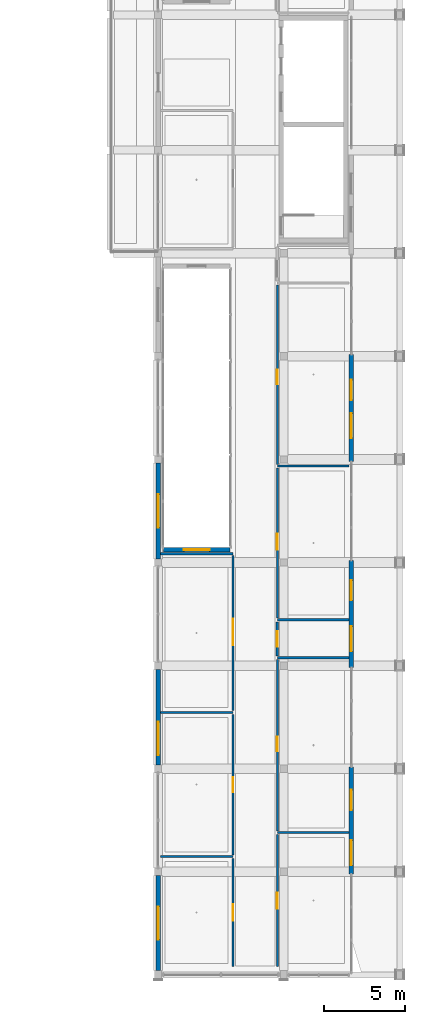
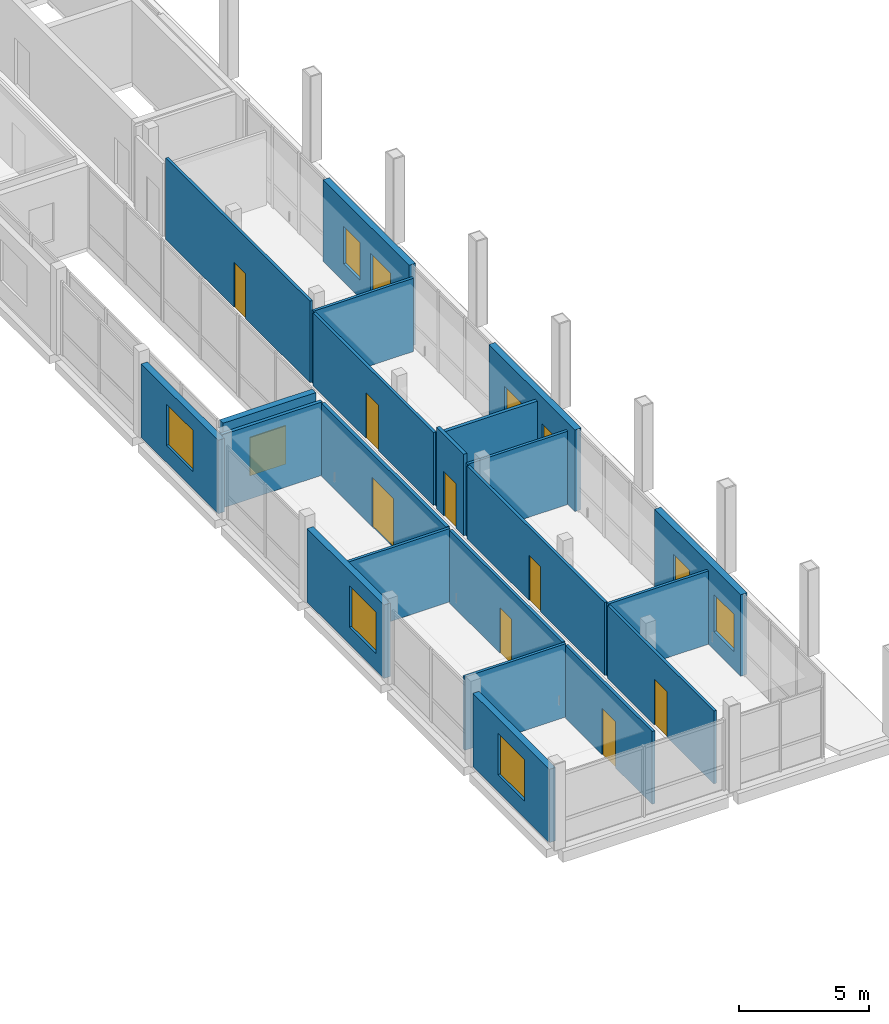
# One storey, part 26 of 48: 22 walls, 10 windows, 8 doors, 18 openings.
"""IFC4 building model written with IfcOpenShell, lengths in metres."""

import ifcopenshell
import ifcopenshell.guid

model = None  # the IFC model being written
_history = None  # IfcOwnerHistory: only IFC2X3 demands one
_inside = {}  # id of a spatial element -> (the spatial element, [elements in it])
_under = {}  # id of a project, library or spatial element -> (it, [spatial elements below it])
_declared = {}  # id of a project -> (the project, [libraries it declares])
_typed = {}  # id of a type object -> (the type object, [elements of that type])
_made_of = {}  # id of a material, layer set ... -> (it, [elements and type objects made of it])


def new_model(schema):
    """Start an empty IFC model of exactly this schema.

    Asked for "IFC4X3", IfcOpenShell would pick the latest addendum, in which some entities
    have other attributes; the version numbers below select the first issue.
    IFC2X3 requires an IfcOwnerHistory on every rooted entity: one is made here for all.
    """
    global model, _history
    if schema == "IFC4X3":
        model = ifcopenshell.file(schema_version=(4, 3, 0, 0))
    else:
        model = ifcopenshell.file(schema=schema)
    _inside.clear()
    _under.clear()
    _declared.clear()
    _typed.clear()
    _made_of.clear()
    _history = None
    if model.schema == "IFC2X3":
        org = make("IfcOrganization", Name="unknown")
        user = make(
            "IfcPersonAndOrganization",
            ThePerson=make("IfcPerson", FamilyName="unknown"),
            TheOrganization=org,
        )
        app = make(
            "IfcApplication",
            ApplicationDeveloper=org,
            Version="unknown",
            ApplicationFullName="unknown",
            ApplicationIdentifier="unknown",
        )
        _history = make(
            "IfcOwnerHistory",
            OwningUser=user,
            OwningApplication=app,
            ChangeAction="ADDED",
            CreationDate=0,
        )
    return model


def make(cls, **values):
    """One entity of the class cls with the attributes given. An attribute that is None is left unset."""
    return model.create_entity(
        cls, **{name: value for name, value in values.items() if value is not None}
    )


def rooted(cls, **values):
    """An entity with a GlobalId (a new one), such as an element, a storey or a relation."""
    return make(cls, GlobalId=ifcopenshell.guid.new(), OwnerHistory=_history, **values)


def si_unit(unit_type, name, prefix=None):
    """IfcSIUnit, for example si_unit("LENGTHUNIT", "METRE", prefix="MILLI")."""
    return make("IfcSIUnit", UnitType=unit_type, Prefix=prefix, Name=name)


def derived_unit(unit_type, elements):
    """IfcDerivedUnit: a product of units, each with its exponent."""
    return make(
        "IfcDerivedUnit",
        Elements=[
            make("IfcDerivedUnitElement", Unit=unit, Exponent=power)
            for unit, power in elements
        ],
        UnitType=unit_type,
    )


def assignment(units):
    """IfcUnitAssignment: the units of a project."""
    return None if units is None else make("IfcUnitAssignment", Units=units)


def point(xyz):
    """IfcCartesianPoint."""
    return None if xyz is None else make("IfcCartesianPoint", Coordinates=xyz)


def direction(xyz):
    """IfcDirection."""
    return None if xyz is None else make("IfcDirection", DirectionRatios=xyz)


def frame(location, z_axis=None, x_axis=None):
    """IfcAxis2Placement3D, a coordinate frame: its origin and axes. An axis left out is left unset."""
    return make(
        "IfcAxis2Placement3D",
        Location=point(location),
        Axis=direction(z_axis),
        RefDirection=direction(x_axis),
    )


def frame_2d(location, x_axis=None):
    """IfcAxis2Placement2D, a coordinate frame in the plane: its origin and x axis."""
    return make(
        "IfcAxis2Placement2D", Location=point(location), RefDirection=direction(x_axis)
    )


def origin():
    """The frame at (0, 0, 0) with its axes left unset."""
    return frame((0.0, 0.0, 0.0))


def origin_with_axes():
    """The frame at (0, 0, 0) with the z axis (0, 0, 1) and the x axis (1, 0, 0) written out."""
    return frame((0.0, 0.0, 0.0), z_axis=(0.0, 0.0, 1.0), x_axis=(1.0, 0.0, 0.0))


def place(relative_to, where):
    """IfcLocalPlacement: puts the frame where relative to a parent placement (None: the world)."""
    return make(
        "IfcLocalPlacement", PlacementRelTo=relative_to, RelativePlacement=where
    )


def context(
    kind, dimensions, precision=None, world=None, true_north=None, identifier=None
):
    """IfcGeometricRepresentationContext, for example the 3D "Model" context."""
    return make(
        "IfcGeometricRepresentationContext",
        ContextIdentifier=identifier,
        ContextType=kind,
        CoordinateSpaceDimension=dimensions,
        Precision=precision,
        WorldCoordinateSystem=world,
        TrueNorth=true_north,
    )


def subcontext(parent, identifier, kind, view, scale=None):
    """IfcGeometricRepresentationSubContext, for example "Body" below "Model"."""
    return make(
        "IfcGeometricRepresentationSubContext",
        ContextIdentifier=identifier,
        ContextType=kind,
        ParentContext=parent,
        TargetScale=scale,
        TargetView=view,
    )


def project(units=None, contexts=None):
    """IfcProject with its units and contexts."""
    return rooted(
        "IfcProject",
        Name="project",
        RepresentationContexts=contexts,
        UnitsInContext=assignment(units),
    )


def spatial(cls, under=None, at=None, **own):
    """A site, building, storey or space (cls), placed at a placement, below another one or the project."""
    s = rooted(cls, ObjectPlacement=at, **own)
    if under is not None:
        _under.setdefault(under.id(), (under, []))[1].append(s)
    return s


def profile(cls, at=None, kind="AREA", **sizes):
    """A parametric profile (cls). Its sizes go by their IFC names, for example OverallWidth=200.0."""
    return make(cls, ProfileType=kind, Position=at, **sizes)


def rectangle(**sizes):
    """IfcRectangleProfileDef."""
    return profile("IfcRectangleProfileDef", **sizes)


def extrude(swept, where, along, depth):
    """IfcExtrudedAreaSolid: the profile swept, set in the frame where, extruded along a direction by depth."""
    return make(
        "IfcExtrudedAreaSolid",
        SweptArea=swept,
        Position=where,
        ExtrudedDirection=direction(along),
        Depth=depth,
    )


def shape(context_of_items, identifier, shape_type, items):
    """IfcShapeRepresentation: the items that make up one representation, for example the "Body"."""
    return make(
        "IfcShapeRepresentation",
        ContextOfItems=context_of_items,
        RepresentationIdentifier=identifier,
        RepresentationType=shape_type,
        Items=items,
    )


def material(Name=None, Category=None):
    """IfcMaterial."""
    return make("IfcMaterial", Name=Name, Category=Category)


def layer(
    of_material, thickness, ventilated=None, Name=None, Category=None, Priority=None
):
    """IfcMaterialLayer: one layer of a wall or slab, of a material (None: an air gap)."""
    return make(
        "IfcMaterialLayer",
        Material=of_material,
        LayerThickness=thickness,
        IsVentilated=ventilated,
        Name=Name,
        Category=Category,
        Priority=Priority,
    )


def layer_set(layers, Name=None):
    """IfcMaterialLayerSet."""
    return make("IfcMaterialLayerSet", MaterialLayers=layers, LayerSetName=Name)


def made_of(thing, what):
    """Note that an element or type object is made of a material, layer set ...; save() writes the relation."""
    if what is not None:
        _made_of.setdefault(what.id(), (what, []))[1].append(thing)
    return thing


def type_object(cls, material=None, **own):
    """A type object (cls), such as IfcWallType, which elements share."""
    return made_of(rooted(cls, **own), material)


def element(
    cls,
    number,
    at=None,
    inside=None,
    cuts=None,
    type_object=None,
    material=None,
    context=None,
    identifier="Body",
    shape_type=None,
    held_by="IfcProductDefinitionShape",
    body=None,
    shapes=None,
    **own,
):
    """One element of the class cls, such as IfcWall. Its Tag is "e" and its number.

    at: its placement. inside: the storey or other place that contains it. cuts: it is an
    opening in that element (IfcRelVoidsElement). A single representation is given by context,
    identifier, shape_type and body (its items); several are given by shapes. held_by: the class
    of the entity that holds the representations. save() writes the other relations.
    """
    e = rooted(cls, Tag="e%d" % number, ObjectPlacement=at, **own)
    if body is not None:
        shapes = [shape(context, identifier, shape_type, body)]
    if shapes is not None:
        e.Representation = make(held_by, Representations=shapes)
    if inside is not None:
        _inside.setdefault(inside.id(), (inside, []))[1].append(e)
    if cuts is not None:
        rooted(
            "IfcRelVoidsElement", RelatingBuildingElement=cuts, RelatedOpeningElement=e
        )
    if type_object is not None:
        _typed.setdefault(type_object.id(), (type_object, []))[1].append(e)
    return made_of(e, material)


def fill(opening, filler):
    """IfcRelFillsElement: the door or window that sits in an opening."""
    return rooted(
        "IfcRelFillsElement",
        RelatingOpeningElement=opening,
        RelatedBuildingElement=filler,
    )


def aggregate(whole, parts):
    """IfcRelAggregates: a whole, such as a stair, and the parts it consists of."""
    return rooted("IfcRelAggregates", RelatingObject=whole, RelatedObjects=parts)


def save(model, path):
    """Write the relations noted so far, then the file.

    IfcRelAggregates (storeys below a building ...), IfcRelContainedInSpatialStructure (elements
    in a storey), IfcRelDefinesByType, IfcRelAssociatesMaterial and IfcRelDeclares: one each for
    every whole, place, type object, material and project.
    """
    for whole, parts in _under.values():
        aggregate(whole, parts)
    for where, things in _inside.values():
        rooted(
            "IfcRelContainedInSpatialStructure",
            RelatedElements=things,
            RelatingStructure=where,
        )
    for kind, things in _typed.values():
        rooted("IfcRelDefinesByType", RelatedObjects=things, RelatingType=kind)
    for what, things in _made_of.values():
        rooted("IfcRelAssociatesMaterial", RelatedObjects=things, RelatingMaterial=what)
    for by, libraries in _declared.values():
        rooted("IfcRelDeclares", RelatingContext=by, RelatedDefinitions=libraries)
    model.write(path)


model = new_model("IFC4")

# Units and contexts
model_context = context("Model", 3, precision=1e-05, world=origin(), true_north=direction((0.0, 1.0)))
body_context = subcontext(model_context, "Body", "Model", "MODEL_VIEW")
ifc_project = project(units=[si_unit("LENGTHUNIT", "METRE"), si_unit("AREAUNIT", "SQUARE_METRE"), si_unit("VOLUMEUNIT", "CUBIC_METRE"), si_unit("PLANEANGLEUNIT", "RADIAN"), si_unit("MASSUNIT", "GRAM", prefix="KILO"), derived_unit("THERMALTRANSMITTANCEUNIT", [(si_unit("POWERUNIT", "WATT"), 1), (si_unit("LENGTHUNIT", "METRE"), -2), (si_unit("THERMODYNAMICTEMPERATUREUNIT", "KELVIN"), -1)])], contexts=[model_context])

# Site, building, storey
site_placement = place(None, origin())
site = spatial("IfcSite", under=ifc_project, at=site_placement, CompositionType="ELEMENT")
building_placement = place(site_placement, origin())
building = spatial("IfcBuilding", under=site, at=building_placement, Name="Braskholm Square Health Centre", CompositionType="ELEMENT")
storey_placement = place(building_placement, frame((0.0, 0.0, 17.550048828125)))
storey = spatial("IfcBuildingStorey", under=building, at=storey_placement, Name="L05", CompositionType="ELEMENT", Elevation=17.550048828125)

# Wall, opening, door
ifc_material_1 = material(Name="Acoustic gypsum board partition")
ifc_layer_1 = layer(ifc_material_1, 0.125)
ifc_layer_set_1 = layer_set([ifc_layer_1], Name="Acoustic gypsum board partition")
wall_type_1 = type_object("IfcWallType", Name="ClinicalExamPartition125", PredefinedType="PARTITIONING", material=ifc_layer_set_1)
wall_1_placement = place(storey_placement, frame((156.199951171875, 4.719970703125, 0.0), z_axis=(0.0, 0.0, 1.0), x_axis=(0.0, 1.0, 0.0)))
wall_1 = element("IfcWall", 1, at=wall_1_placement, inside=storey, type_object=wall_type_1, Name="Interior partition PWALL-L05-0476", PredefinedType="PARTITIONING", context=body_context, shape_type="SweptSolid", body=[
    extrude(rectangle(XDim=8.18994140625, YDim=0.125, at=frame_2d((4.094970703125, 0.0))), origin(), (0.0, 0.0, 1.0), 3.43505859375),
])
opening_1_placement = place(wall_1_placement, frame((3.594970703125, 0.0, 0.0)))
opening_1 = element("IfcOpeningElement", 2, at=opening_1_placement, cuts=wall_1, Name="Opening D-02", PredefinedType="OPENING", context=body_context, shape_type="SweptSolid", body=[
    extrude(rectangle(XDim=1.0, YDim=2.14990234375, at=frame_2d((0.5, 1.074951171875))), frame((0.0, 0.072509765625, 0.0), z_axis=(0.0, -1.0, 0.0), x_axis=(1.0, 0.0, 0.0)), (0.0, 0.0, 1.0), 0.14501953125),
])
ifc_material_2 = material(Name="Architectural bronze anodised aluminium", Category="aluminium")
door_type_1 = type_object("IfcDoorType", Name="DoorExamSingle1000x2150", OperationType="NOTDEFINED", PredefinedType="DOOR", material=ifc_material_2)
door_1_placement = place(opening_1_placement, frame((1.0, 0.0, 0.0), z_axis=(0.0, 0.0, 1.0), x_axis=(-1.0, 0.0, 0.0)))
door_1 = element("IfcDoor", 3, at=door_1_placement, inside=storey, type_object=door_type_1, Name="Interior door 0225 L05", OperationType="SINGLE_SWING_LEFT", OverallHeight=2.14990234375, OverallWidth=1.0, PredefinedType="DOOR", context=body_context, shape_type="SweptSolid", body=[
    extrude(rectangle(XDim=1.0, YDim=2.14990234375, at=frame_2d((0.5, 1.074951171875))), frame((0.0, 0.02490234375, 0.0), z_axis=(0.0, -1.0, 0.0), x_axis=(1.0, 0.0, 0.0)), (0.0, 0.0, 1.0), 0.050048828125),
])
fill(opening_1, door_1)

# Wall
wall_2_placement = place(storey_placement, frame((156.199951171875, 13.030029296875, 0.0), z_axis=(0.0, 0.0, 1.0), x_axis=(1.0, 0.0, 0.0)))
element("IfcWall", 4, at=wall_2_placement, inside=storey, type_object=wall_type_1, Name="Interior partition PWALL-L05-0477", PredefinedType="PARTITIONING", context=body_context, shape_type="SweptSolid", body=[
    extrude(rectangle(XDim=4.4599609375, YDim=0.125, at=frame_2d((2.22998046875, 0.0))), origin(), (0.0, 0.0, 1.0), 3.454833984375),
])

# Wall, opening, door
wall_3_placement = place(storey_placement, frame((156.199951171875, 13.14990234375, 0.0), z_axis=(0.0, 0.0, 1.0), x_axis=(0.0, 1.0, 0.0)))
wall_3 = element("IfcWall", 5, at=wall_3_placement, inside=storey, type_object=wall_type_1, Name="Interior partition PWALL-L05-0478", PredefinedType="PARTITIONING", context=body_context, shape_type="SweptSolid", body=[
    extrude(rectangle(XDim=10.6201171875, YDim=0.125, at=frame_2d((5.31005859375, 0.0))), origin(), (0.0, 0.0, 1.0), 3.43505859375),
])
opening_2_placement = place(wall_3_placement, frame((4.93505859375, 0.0, 0.0)))
opening_2 = element("IfcOpeningElement", 6, at=opening_2_placement, cuts=wall_3, Name="Opening D-07", PredefinedType="OPENING", context=body_context, shape_type="SweptSolid", body=[
    extrude(rectangle(XDim=0.89990234375, YDim=2.1201171875, at=frame_2d((0.449951171875, 1.06005859375))), frame((0.0, 0.072509765625, 0.0), z_axis=(0.0, -1.0, 0.0), x_axis=(1.0, 0.0, 0.0)), (0.0, 0.0, 1.0), 0.14501953125),
])
door_type_2 = type_object("IfcDoorType", Name="DoorProviderOffice900x2120", OperationType="NOTDEFINED", PredefinedType="DOOR", material=ifc_material_2)
door_2_placement = place(opening_2_placement, frame((0.89990234375, 0.0, 0.0), z_axis=(0.0, 0.0, 1.0), x_axis=(-1.0, 0.0, 0.0)))
door_2 = element("IfcDoor", 7, at=door_2_placement, inside=storey, type_object=door_type_2, Name="Interior door 0226 L05", OperationType="SINGLE_SWING_RIGHT", OverallHeight=2.1201171875, OverallWidth=0.89990234375, PredefinedType="DOOR", context=body_context, shape_type="SweptSolid", body=[
    extrude(rectangle(XDim=0.89990234375, YDim=2.1201171875, at=frame_2d((0.449951171875, 1.06005859375))), frame((0.0, 0.02490234375, 0.0), z_axis=(0.0, -1.0, 0.0), x_axis=(1.0, 0.0, 0.0)), (0.0, 0.0, 1.0), 0.050048828125),
])
fill(opening_2, door_2)

# Wall
wall_4_placement = place(storey_placement, frame((156.199951171875, 23.889892578125, 0.0), z_axis=(0.0, 0.0, 1.0), x_axis=(1.0, 0.0, 0.0)))
element("IfcWall", 8, at=wall_4_placement, inside=storey, type_object=wall_type_1, Name="Interior partition PWALL-L05-0479", PredefinedType="PARTITIONING", context=body_context, shape_type="SweptSolid", body=[
    extrude(rectangle(XDim=4.4599609375, YDim=0.125, at=frame_2d((2.22998046875, 0.0))), origin(), (0.0, 0.0, 1.0), 3.454833984375),
])

# Wall, opening, door
wall_5_placement = place(storey_placement, frame((156.199951171875, 26.360107421875, 0.0), z_axis=(0.0, 0.0, 1.0), x_axis=(0.0, 1.0, 0.0)))
wall_5 = element("IfcWall", 9, at=wall_5_placement, inside=storey, type_object=wall_type_1, Name="Interior partition PWALL-L05-0482", PredefinedType="PARTITIONING", context=body_context, shape_type="SweptSolid", body=[
    extrude(rectangle(XDim=9.2998046875, YDim=0.125, at=frame_2d((4.64990234375, 0.0))), origin(), (0.0, 0.0, 1.0), 3.43505859375),
])
opening_3_placement = place(wall_5_placement, frame((4.22607421875, 0.0, 0.0)))
opening_3 = element("IfcOpeningElement", 10, at=opening_3_placement, cuts=wall_5, Name="Opening D-02", PredefinedType="OPENING", context=body_context, shape_type="SweptSolid", body=[
    extrude(rectangle(XDim=1.0, YDim=2.14990234375, at=frame_2d((0.5, 1.074951171875))), frame((0.0, 0.072509765625, 0.0), z_axis=(0.0, -1.0, 0.0), x_axis=(1.0, 0.0, 0.0)), (0.0, 0.0, 1.0), 0.14501953125),
])
door_3_placement = place(opening_3_placement, frame((1.0, 0.0, 0.0), z_axis=(0.0, 0.0, 1.0), x_axis=(-1.0, 0.0, 0.0)))
door_3 = element("IfcDoor", 11, at=door_3_placement, inside=storey, type_object=door_type_1, Name="Interior door 0228 L05", OperationType="SINGLE_SWING_RIGHT", OverallHeight=2.14990234375, OverallWidth=1.0, PredefinedType="DOOR", context=body_context, shape_type="SweptSolid", body=[
    extrude(rectangle(XDim=1.0, YDim=2.14990234375, at=frame_2d((0.5, 1.074951171875))), frame((0.0, 0.02490234375, 0.0), z_axis=(0.0, -1.0, 0.0), x_axis=(1.0, 0.0, 0.0)), (0.0, 0.0, 1.0), 0.050048828125),
])
fill(opening_3, door_3)

# Wall
wall_6_placement = place(storey_placement, frame((156.199951171875, 35.780029296875, 0.0), z_axis=(0.0, 0.0, 1.0), x_axis=(1.0, 0.0, 0.0)))
element("IfcWall", 12, at=wall_6_placement, inside=storey, type_object=wall_type_1, Name="Interior partition PWALL-L05-0483", PredefinedType="PARTITIONING", context=body_context, shape_type="SweptSolid", body=[
    extrude(rectangle(XDim=4.4599609375, YDim=0.125, at=frame_2d((2.22998046875, 0.0))), origin(), (0.0, 0.0, 1.0), 3.454833984375),
])

# Wall, opening, door
wall_7_placement = place(storey_placement, frame((156.199951171875, 35.89990234375, 0.0), z_axis=(0.0, 0.0, 1.0), x_axis=(0.0, 1.0, 0.0)))
wall_7 = element("IfcWall", 13, at=wall_7_placement, inside=storey, type_object=wall_type_1, Name="Interior partition PWALL-L05-0484", PredefinedType="PARTITIONING", context=body_context, shape_type="SweptSolid", body=[
    extrude(rectangle(XDim=11.130126953125, YDim=0.125, at=frame_2d((5.56494140625, 0.0))), origin(), (0.0, 0.0, 1.0), 3.8349609375),
])
opening_4_placement = place(wall_7_placement, frame((4.962890625, 0.0, 0.0)))
opening_4 = element("IfcOpeningElement", 14, at=opening_4_placement, cuts=wall_7, Name="Opening D-07", PredefinedType="OPENING", context=body_context, shape_type="SweptSolid", body=[
    extrude(rectangle(XDim=0.89990234375, YDim=2.1201171875, at=frame_2d((0.449951171875, 1.06005859375))), frame((0.0, 0.072509765625, 0.0), z_axis=(0.0, -1.0, 0.0), x_axis=(1.0, 0.0, 0.0)), (0.0, 0.0, 1.0), 0.14501953125),
])
door_4_placement = place(opening_4_placement, frame((0.89990234375, 0.0, 0.0), z_axis=(0.0, 0.0, 1.0), x_axis=(-1.0, 0.0, 0.0)))
door_4 = element("IfcDoor", 15, at=door_4_placement, inside=storey, type_object=door_type_2, Name="Interior door 0229 L05", OperationType="SINGLE_SWING_LEFT", OverallHeight=2.1201171875, OverallWidth=0.89990234375, PredefinedType="DOOR", context=body_context, shape_type="SweptSolid", body=[
    extrude(rectangle(XDim=0.89990234375, YDim=2.1201171875, at=frame_2d((0.449951171875, 1.06005859375))), frame((0.0, 0.02490234375, 0.0), z_axis=(0.0, -1.0, 0.0), x_axis=(1.0, 0.0, 0.0)), (0.0, 0.0, 1.0), 0.050048828125),
])
fill(opening_4, door_4)

wall_8_placement = place(storey_placement, frame((153.449951171875, 4.719970703125, 0.0), z_axis=(0.0, 0.0, 1.0), x_axis=(0.0, 1.0, 0.0)))
wall_8 = element("IfcWall", 16, at=wall_8_placement, inside=storey, type_object=wall_type_1, Name="Interior partition PWALL-L05-0502", PredefinedType="PARTITIONING", context=body_context, shape_type="SweptSolid", body=[
    extrude(rectangle(XDim=6.699951171875, YDim=0.125, at=frame_2d((3.35009765625, 0.0))), origin(), (0.0, 0.0, 1.0), 3.43505859375),
])
opening_5_placement = place(wall_8_placement, frame((2.840087890625, 0.0, 0.0)))
opening_5 = element("IfcOpeningElement", 17, at=opening_5_placement, cuts=wall_8, Name="Opening D-25", PredefinedType="OPENING", context=body_context, shape_type="SweptSolid", body=[
    extrude(rectangle(XDim=1.02001953125, YDim=2.179931640625, at=frame_2d((0.510009765625, 1.08984375))), frame((0.0, 0.072509765625, 0.0), z_axis=(0.0, -1.0, 0.0), x_axis=(1.0, 0.0, 0.0)), (0.0, 0.0, 1.0), 0.14501953125),
])
door_type_3 = type_object("IfcDoorType", Name="DoorConsultWide1020x2180", OperationType="NOTDEFINED", PredefinedType="DOOR", material=ifc_material_2)
door_5_placement = place(opening_5_placement, origin_with_axes())
door_5 = element("IfcDoor", 18, at=door_5_placement, inside=storey, type_object=door_type_3, Name="Interior door 0238 L05", OperationType="SINGLE_SWING_RIGHT", OverallHeight=2.179931640625, OverallWidth=1.02001953125, PredefinedType="DOOR", context=body_context, shape_type="SweptSolid", body=[
    extrude(rectangle(XDim=1.02001953125, YDim=2.179931640625, at=frame_2d((0.510009765625, 1.08984375))), frame((0.0, 0.02490234375, 0.0), z_axis=(0.0, -1.0, 0.0), x_axis=(1.0, 0.0, 0.0)), (0.0, 0.0, 1.0), 0.050048828125),
])
fill(opening_5, door_5)

# Wall
wall_9_placement = place(storey_placement, frame((148.93994140625, 11.5400390625, 0.0), z_axis=(0.0, 0.0, 1.0), x_axis=(1.0, 0.0, 0.0)))
element("IfcWall", 19, at=wall_9_placement, inside=storey, type_object=wall_type_1, Name="Interior partition PWALL-L05-0503", PredefinedType="PARTITIONING", context=body_context, shape_type="SweptSolid", body=[
    extrude(rectangle(XDim=4.510009765625, YDim=0.125, at=frame_2d((2.2548828125, 0.0))), origin(), (0.0, 0.0, 1.0), 3.454833984375),
])

# Wall, opening, door
wall_10_placement = place(storey_placement, frame((153.449951171875, 11.659912109375, 0.0), z_axis=(0.0, 0.0, 1.0), x_axis=(0.0, 1.0, 0.0)))
wall_10 = element("IfcWall", 20, at=wall_10_placement, inside=storey, type_object=wall_type_1, Name="Interior partition PWALL-L05-0504", PredefinedType="PARTITIONING", context=body_context, shape_type="SweptSolid", body=[
    extrude(rectangle(XDim=8.710205078125, YDim=0.125, at=frame_2d((4.35498046875, 0.0))), origin(), (0.0, 0.0, 1.0), 3.43505859375),
])
opening_6_placement = place(wall_10_placement, frame((3.89501953125, 0.0, 0.0)))
opening_6 = element("IfcOpeningElement", 21, at=opening_6_placement, cuts=wall_10, Name="Opening D-01", PredefinedType="OPENING", context=body_context, shape_type="SweptSolid", body=[
    extrude(rectangle(XDim=0.919921875, YDim=2.14990234375, at=frame_2d((0.4599609375, 1.074951171875))), frame((0.0, 0.072509765625, 0.0), z_axis=(0.0, -1.0, 0.0), x_axis=(1.0, 0.0, 0.0)), (0.0, 0.0, 1.0), 0.14501953125),
])
door_type_4 = type_object("IfcDoorType", Name="DoorConsultSingle920x2150", OperationType="NOTDEFINED", PredefinedType="DOOR", material=ifc_material_2)
door_6_placement = place(opening_6_placement, origin_with_axes())
door_6 = element("IfcDoor", 22, at=door_6_placement, inside=storey, type_object=door_type_4, Name="Interior door 0239 L05", OperationType="SINGLE_SWING_LEFT", OverallHeight=2.14990234375, OverallWidth=0.919921875, PredefinedType="DOOR", context=body_context, shape_type="SweptSolid", body=[
    extrude(rectangle(XDim=0.919921875, YDim=2.14990234375, at=frame_2d((0.4599609375, 1.074951171875))), frame((0.0, 0.02490234375, 0.0), z_axis=(0.0, -1.0, 0.0), x_axis=(1.0, 0.0, 0.0)), (0.0, 0.0, 1.0), 0.050048828125),
])
fill(opening_6, door_6)

# Wall
wall_11_placement = place(storey_placement, frame((148.93994140625, 20.489990234375, 0.0), z_axis=(0.0, 0.0, 1.0), x_axis=(1.0, 0.0, 0.0)))
element("IfcWall", 23, at=wall_11_placement, inside=storey, type_object=wall_type_1, Name="Interior partition PWALL-L05-0505", PredefinedType="PARTITIONING", context=body_context, shape_type="SweptSolid", body=[
    extrude(rectangle(XDim=4.510009765625, YDim=0.125, at=frame_2d((2.2548828125, 0.0))), origin(), (0.0, 0.0, 1.0), 3.454833984375),
])

# Wall, opening, door
ifc_layer_2 = layer(ifc_material_1, 0.14990234375)
ifc_layer_set_2 = layer_set([ifc_layer_2], Name="Acoustic gypsum board partition")
wall_type_2 = type_object("IfcWallType", Name="CorridorAcousticPartition150", PredefinedType="PARTITIONING", material=ifc_layer_set_2)
wall_12_placement = place(storey_placement, frame((156.199951171875, 24.010009765625, 0.0), z_axis=(0.0, 0.0, 1.0), x_axis=(0.0, 1.0, 0.0)))
wall_12 = element("IfcWall", 24, at=wall_12_placement, inside=storey, type_object=wall_type_2, Name="Interior partition PWALL-L05-0480", PredefinedType="PARTITIONING", context=body_context, shape_type="SweptSolid", body=[
    extrude(rectangle(XDim=2.110107421875, YDim=0.14990234375, at=frame_2d((1.05517578125, 0.0))), origin(), (0.0, 0.0, 1.0), 3.8349609375),
])
opening_7_placement = place(wall_12_placement, frame((0.574951171875, 0.0, 0.0)))
opening_7 = element("IfcOpeningElement", 25, at=opening_7_placement, cuts=wall_12, Name="Opening D-05", PredefinedType="OPENING", context=body_context, shape_type="SweptSolid", body=[
    extrude(rectangle(XDim=0.9599609375, YDim=2.10009765625, at=frame_2d((0.47998046875, 1.050048828125))), frame((0.0, 0.0849609375, 0.0), z_axis=(0.0, -1.0, 0.0), x_axis=(1.0, 0.0, 0.0)), (0.0, 0.0, 1.0), 0.169921875),
])
door_type_5 = type_object("IfcDoorType", Name="DoorAccessibleWC960x2100", OperationType="NOTDEFINED", PredefinedType="DOOR", material=ifc_material_2)
door_7_placement = place(opening_7_placement, frame((0.9599609375, 0.0, 0.0), z_axis=(0.0, 0.0, 1.0), x_axis=(-1.0, 0.0, 0.0)))
door_7 = element("IfcDoor", 26, at=door_7_placement, inside=storey, type_object=door_type_5, Name="Interior door 0227 L05", OperationType="SINGLE_SWING_LEFT", OverallHeight=2.10009765625, OverallWidth=0.9599609375, PredefinedType="DOOR", context=body_context, shape_type="SweptSolid", body=[
    extrude(rectangle(XDim=0.9599609375, YDim=2.10009765625, at=frame_2d((0.47998046875, 1.050048828125))), frame((0.0, 0.02490234375, 0.0), z_axis=(0.0, -1.0, 0.0), x_axis=(1.0, 0.0, 0.0)), (0.0, 0.0, 1.0), 0.050048828125),
])
fill(opening_7, door_7)

# Wall
wall_13_placement = place(storey_placement, frame((156.199951171875, 26.239990234375, 0.0), z_axis=(0.0, 0.0, 1.0), x_axis=(1.0, 0.0, 0.0)))
element("IfcWall", 27, at=wall_13_placement, inside=storey, type_object=wall_type_2, Name="Interior partition PWALL-L05-0481", PredefinedType="PARTITIONING", context=body_context, shape_type="SweptSolid", body=[
    extrude(rectangle(XDim=4.4599609375, YDim=0.14990234375, at=frame_2d((2.22998046875, 0.0))), origin(), (0.0, 0.0, 1.0), 3.454833984375),
])

# Wall, opening, door
wall_14_placement = place(storey_placement, frame((153.449951171875, 20.610107421875, 0.0), z_axis=(0.0, 0.0, 1.0), x_axis=(0.0, 1.0, 0.0)))
wall_14 = element("IfcWall", 28, at=wall_14_placement, inside=storey, type_object=wall_type_2, Name="Interior partition PWALL-L05-0506", PredefinedType="PARTITIONING", context=body_context, shape_type="SweptSolid", body=[
    extrude(rectangle(XDim=9.619873046875, YDim=0.14990234375, at=frame_2d((4.81005859375, 0.0))), origin(), (0.0, 0.0, 1.0), 3.43505859375),
])
opening_8_placement = place(wall_14_placement, frame((4.06591796875, 0.0, 0.0)))
opening_8 = element("IfcOpeningElement", 29, at=opening_8_placement, cuts=wall_14, Name="Opening D-28", PredefinedType="OPENING", context=body_context, shape_type="SweptSolid", body=[
    extrude(rectangle(XDim=1.639892578125, YDim=2.320068359375, at=frame_2d((0.81982421875, 1.16015625))), frame((0.0, 0.0849609375, 0.0), z_axis=(0.0, -1.0, 0.0), x_axis=(1.0, 0.0, 0.0)), (0.0, 0.0, 1.0), 0.169921875),
])
door_type_6 = type_object("IfcDoorType", Name="DoorSuiteDouble1640x2320", OperationType="DOUBLE_DOOR_SINGLE_SWING", PredefinedType="DOOR", material=ifc_material_2)
door_8_placement = place(opening_8_placement, origin_with_axes())
door_8 = element("IfcDoor", 30, at=door_8_placement, inside=storey, type_object=door_type_6, Name="Interior door 0240 L05", OperationType="DOUBLE_DOOR_SINGLE_SWING", OverallHeight=2.320068359375, OverallWidth=1.639892578125, PredefinedType="DOOR", context=body_context, shape_type="SweptSolid", body=[
    extrude(rectangle(XDim=1.639892578125, YDim=2.320068359375, at=frame_2d((0.81982421875, 1.16015625))), frame((0.0, 0.02490234375, 0.0), z_axis=(0.0, -1.0, 0.0), x_axis=(1.0, 0.0, 0.0)), (0.0, 0.0, 1.0), 0.050048828125),
])
fill(opening_8, door_8)

# Wall
wall_15_placement = place(storey_placement, frame((148.93994140625, 30.35009765625, 0.0), z_axis=(0.0, 0.0, 1.0), x_axis=(1.0, 0.0, 0.0)))
element("IfcWall", 31, at=wall_15_placement, inside=storey, type_object=wall_type_2, Name="Interior partition PWALL-L05-0507", PredefinedType="PARTITIONING", context=body_context, shape_type="SweptSolid", body=[
    extrude(rectangle(XDim=4.510009765625, YDim=0.14990234375, at=frame_2d((2.2548828125, 0.0))), origin(), (0.0, 0.0, 1.0), 3.454833984375),
])

# Wall, openings, windows
ifc_material_3 = material(Name="Precast concrete C40/50 architectural white", Category="concrete")
ifc_layer_3 = layer(ifc_material_3, 0.280029296875)
ifc_layer_set_3 = layer_set([ifc_layer_3], Name="Precast concrete C40/50 architectural white")
wall_type_3 = type_object("IfcWallType", Name="ExteriorPrecastSpandrelWall280", PredefinedType="SOLIDWALL", material=ifc_layer_set_3)
wall_16_placement = place(storey_placement, frame((160.800048828125, 10.47705078125, 0.0), z_axis=(0.0, 0.0, 1.0), x_axis=(0.0, 1.0, 0.0)))
wall_16 = element("IfcWall", 32, at=wall_16_placement, inside=storey, type_object=wall_type_3, Name="Exterior wall EWALL-L05-0086", PredefinedType="SOLIDWALL", context=body_context, shape_type="SweptSolid", body=[
    extrude(rectangle(XDim=6.64599609375, YDim=0.280029296875, at=frame_2d((3.322998046875, 0.0))), origin(), (0.0, 0.0, 1.0), 3.83984375),
])
opening_9_placement = place(wall_16_placement, frame((0.52001953125, 0.0, 0.85009765625)))
opening_9 = element("IfcOpeningElement", 33, at=opening_9_placement, cuts=wall_16, Name="Opening WN-22", PredefinedType="OPENING", context=body_context, shape_type="SweptSolid", body=[
    extrude(rectangle(XDim=1.550048828125, YDim=1.75, at=frame_2d((0.77490234375, 0.875))), frame((0.0, 0.14990234375, 0.0), z_axis=(0.0, -1.0, 0.0), x_axis=(1.0, 0.0, 0.0)), (0.0, 0.0, 1.0), 0.300048828125),
])
opening_10_placement = place(wall_16_placement, frame((3.955078125, 0.0, 0.85009765625)))
opening_10 = element("IfcOpeningElement", 34, at=opening_10_placement, cuts=wall_16, Name="Opening WN-21", PredefinedType="OPENING", context=body_context, shape_type="SweptSolid", body=[
    extrude(rectangle(XDim=1.25, YDim=1.75, at=frame_2d((0.625, 0.875))), frame((0.0, 0.14990234375, 0.0), z_axis=(0.0, -1.0, 0.0), x_axis=(1.0, 0.0, 0.0)), (0.0, 0.0, 1.0), 0.300048828125),
])
ifc_material_4 = material(Name="Low-E triple insulating glass (VLT 0.64)", Category="glass")
window_type_1 = type_object("IfcWindowType", Name="WinCrownSetback1250x1750", PartitioningType="SINGLE_PANEL", PredefinedType="WINDOW", material=ifc_material_4)
window_1_placement = place(opening_10_placement, origin_with_axes())
window_1 = element("IfcWindow", 35, at=window_1_placement, inside=storey, type_object=window_type_1, Name="Exterior window 0154 L05", OverallHeight=1.75, OverallWidth=1.25, PartitioningType="SINGLE_PANEL", PredefinedType="WINDOW", context=body_context, shape_type="SweptSolid", body=[
    extrude(rectangle(XDim=1.25, YDim=1.75, at=frame_2d((0.625, 0.875))), frame((0.0, 0.030029296875, 0.0), z_axis=(0.0, -1.0, 0.0), x_axis=(1.0, 0.0, 0.0)), (0.0, 0.0, 1.0), 0.06005859375),
])
fill(opening_10, window_1)
window_type_2 = type_object("IfcWindowType", Name="WinCrownSetback1550x1750", PartitioningType="SINGLE_PANEL", PredefinedType="WINDOW", material=ifc_material_4)
window_2_placement = place(opening_9_placement, origin_with_axes())
window_2 = element("IfcWindow", 36, at=window_2_placement, inside=storey, type_object=window_type_2, Name="Exterior window 0153 L05", OverallHeight=1.75, OverallWidth=1.550048828125, PartitioningType="SINGLE_PANEL", PredefinedType="WINDOW", context=body_context, shape_type="SweptSolid", body=[
    extrude(rectangle(XDim=1.550048828125, YDim=1.75, at=frame_2d((0.77490234375, 0.875))), frame((0.0, 0.030029296875, 0.0), z_axis=(0.0, -1.0, 0.0), x_axis=(1.0, 0.0, 0.0)), (0.0, 0.0, 1.0), 0.06005859375),
])
fill(opening_9, window_2)

wall_17_placement = place(storey_placement, frame((160.800048828125, 23.277099609375, 0.0), z_axis=(0.0, 0.0, 1.0), x_axis=(0.0, 1.0, 0.0)))
wall_17 = element("IfcWall", 37, at=wall_17_placement, inside=storey, type_object=wall_type_3, Name="Exterior wall EWALL-L05-0087", PredefinedType="SOLIDWALL", context=body_context, shape_type="SweptSolid", body=[
    extrude(rectangle(XDim=6.64599609375, YDim=0.280029296875, at=frame_2d((3.322998046875, 0.0))), origin(), (0.0, 0.0, 1.0), 3.83984375),
])
opening_11_placement = place(wall_17_placement, frame((1.006103515625, 0.0, 0.85009765625)))
opening_11 = element("IfcOpeningElement", 38, at=opening_11_placement, cuts=wall_17, Name="Opening WN-22", PredefinedType="OPENING", context=body_context, shape_type="SweptSolid", body=[
    extrude(rectangle(XDim=1.550048828125, YDim=1.75, at=frame_2d((0.77490234375, 0.875))), frame((0.0, 0.14990234375, 0.0), z_axis=(0.0, -1.0, 0.0), x_axis=(1.0, 0.0, 0.0)), (0.0, 0.0, 1.0), 0.300048828125),
])
opening_12_placement = place(wall_17_placement, frame((4.1669921875, 0.0, 0.85009765625)))
opening_12 = element("IfcOpeningElement", 39, at=opening_12_placement, cuts=wall_17, Name="Opening WN-21", PredefinedType="OPENING", context=body_context, shape_type="SweptSolid", body=[
    extrude(rectangle(XDim=1.25, YDim=1.75, at=frame_2d((0.625, 0.875))), frame((0.0, 0.14990234375, 0.0), z_axis=(0.0, -1.0, 0.0), x_axis=(1.0, 0.0, 0.0)), (0.0, 0.0, 1.0), 0.300048828125),
])
window_3_placement = place(opening_12_placement, origin_with_axes())
window_3 = element("IfcWindow", 40, at=window_3_placement, inside=storey, type_object=window_type_1, Name="Exterior window 0156 L05", OverallHeight=1.75, OverallWidth=1.25, PartitioningType="SINGLE_PANEL", PredefinedType="WINDOW", context=body_context, shape_type="SweptSolid", body=[
    extrude(rectangle(XDim=1.25, YDim=1.75, at=frame_2d((0.625, 0.875))), frame((0.0, 0.030029296875, 0.0), z_axis=(0.0, -1.0, 0.0), x_axis=(1.0, 0.0, 0.0)), (0.0, 0.0, 1.0), 0.06005859375),
])
fill(opening_12, window_3)
window_4_placement = place(opening_11_placement, origin_with_axes())
window_4 = element("IfcWindow", 41, at=window_4_placement, inside=storey, type_object=window_type_2, Name="Exterior window 0155 L05", OverallHeight=1.75, OverallWidth=1.550048828125, PartitioningType="SINGLE_PANEL", PredefinedType="WINDOW", context=body_context, shape_type="SweptSolid", body=[
    extrude(rectangle(XDim=1.550048828125, YDim=1.75, at=frame_2d((0.77490234375, 0.875))), frame((0.0, 0.030029296875, 0.0), z_axis=(0.0, -1.0, 0.0), x_axis=(1.0, 0.0, 0.0)), (0.0, 0.0, 1.0), 0.06005859375),
])
fill(opening_11, window_4)

wall_18_placement = place(storey_placement, frame((160.800048828125, 36.076904296875, 0.0), z_axis=(0.0, 0.0, 1.0), x_axis=(0.0, 1.0, 0.0)))
wall_18 = element("IfcWall", 42, at=wall_18_placement, inside=storey, type_object=wall_type_3, Name="Exterior wall EWALL-L05-0088", PredefinedType="SOLIDWALL", context=body_context, shape_type="SweptSolid", body=[
    extrude(rectangle(XDim=6.64599609375, YDim=0.280029296875, at=frame_2d((3.322998046875, 0.0))), origin(), (0.0, 0.0, 1.0), 3.83984375),
])
opening_13_placement = place(wall_18_placement, frame((1.43994140625, 0.0, 0.85009765625)))
opening_13 = element("IfcOpeningElement", 43, at=opening_13_placement, cuts=wall_18, Name="Opening WN-22", PredefinedType="OPENING", context=body_context, shape_type="SweptSolid", body=[
    extrude(rectangle(XDim=1.550048828125, YDim=1.75, at=frame_2d((0.77490234375, 0.875))), frame((0.0, 0.14990234375, 0.0), z_axis=(0.0, -1.0, 0.0), x_axis=(1.0, 0.0, 0.0)), (0.0, 0.0, 1.0), 0.300048828125),
])
opening_14_placement = place(wall_18_placement, frame((3.805908203125, 0.0, 0.85009765625)))
opening_14 = element("IfcOpeningElement", 44, at=opening_14_placement, cuts=wall_18, Name="Opening WN-21", PredefinedType="OPENING", context=body_context, shape_type="SweptSolid", body=[
    extrude(rectangle(XDim=1.25, YDim=1.75, at=frame_2d((0.625, 0.875))), frame((0.0, 0.14990234375, 0.0), z_axis=(0.0, -1.0, 0.0), x_axis=(1.0, 0.0, 0.0)), (0.0, 0.0, 1.0), 0.300048828125),
])
window_5_placement = place(opening_14_placement, origin_with_axes())
window_5 = element("IfcWindow", 45, at=window_5_placement, inside=storey, type_object=window_type_1, Name="Exterior window 0158 L05", OverallHeight=1.75, OverallWidth=1.25, PartitioningType="SINGLE_PANEL", PredefinedType="WINDOW", context=body_context, shape_type="SweptSolid", body=[
    extrude(rectangle(XDim=1.25, YDim=1.75, at=frame_2d((0.625, 0.875))), frame((0.0, 0.030029296875, 0.0), z_axis=(0.0, -1.0, 0.0), x_axis=(1.0, 0.0, 0.0)), (0.0, 0.0, 1.0), 0.06005859375),
])
fill(opening_14, window_5)
window_6_placement = place(opening_13_placement, origin_with_axes())
window_6 = element("IfcWindow", 46, at=window_6_placement, inside=storey, type_object=window_type_2, Name="Exterior window 0157 L05", OverallHeight=1.75, OverallWidth=1.550048828125, PartitioningType="SINGLE_PANEL", PredefinedType="WINDOW", context=body_context, shape_type="SweptSolid", body=[
    extrude(rectangle(XDim=1.550048828125, YDim=1.75, at=frame_2d((0.77490234375, 0.875))), frame((0.0, 0.030029296875, 0.0), z_axis=(0.0, -1.0, 0.0), x_axis=(1.0, 0.0, 0.0)), (0.0, 0.0, 1.0), 0.06005859375),
])
fill(opening_13, window_6)

# Wall, opening, window
wall_19_placement = place(storey_placement, frame((148.800048828125, 10.373046875, 0.0), z_axis=(0.0, 0.0, 1.0), x_axis=(0.0, -1.0, 0.0)))
wall_19 = element("IfcWall", 47, at=wall_19_placement, inside=storey, type_object=wall_type_3, Name="Exterior wall EWALL-L05-0201", PredefinedType="SOLIDWALL", context=body_context, shape_type="SweptSolid", body=[
    extrude(rectangle(XDim=5.9111328125, YDim=0.280029296875, at=frame_2d((2.95556640625, 0.0))), origin(), (0.0, 0.0, 1.0), 3.4599609375),
])
opening_15_placement = place(wall_19_placement, frame((1.929931640625, 0.0, 0.800048828125)))
opening_15 = element("IfcOpeningElement", 48, at=opening_15_placement, cuts=wall_19, Name="Opening WN-25", PredefinedType="OPENING", context=body_context, shape_type="SweptSolid", body=[
    extrude(rectangle(XDim=2.050048828125, YDim=1.949951171875, at=frame_2d((1.02490234375, 0.97509765625))), frame((0.0, 0.14990234375, 0.0), z_axis=(0.0, -1.0, 0.0), x_axis=(1.0, 0.0, 0.0)), (0.0, 0.0, 1.0), 0.300048828125),
])
window_type_3 = type_object("IfcWindowType", Name="WinValleyTerrace2050x1950", PartitioningType="SINGLE_PANEL", PredefinedType="WINDOW", material=ifc_material_4)
window_7_placement = place(opening_15_placement, origin_with_axes())
window_7 = element("IfcWindow", 49, at=window_7_placement, inside=storey, type_object=window_type_3, Name="Exterior window 0253 L05", OverallHeight=1.949951171875, OverallWidth=2.050048828125, PartitioningType="SINGLE_PANEL", PredefinedType="WINDOW", context=body_context, shape_type="SweptSolid", body=[
    extrude(rectangle(XDim=2.050048828125, YDim=1.949951171875, at=frame_2d((1.02490234375, 0.97509765625))), frame((0.0, 0.030029296875, 0.0), z_axis=(0.0, -1.0, 0.0), x_axis=(1.0, 0.0, 0.0)), (0.0, 0.0, 1.0), 0.06005859375),
])
fill(opening_15, window_7)

wall_20_placement = place(storey_placement, frame((148.800048828125, 23.173095703125, 0.0), z_axis=(0.0, 0.0, 1.0), x_axis=(0.0, -1.0, 0.0)))
wall_20 = element("IfcWall", 50, at=wall_20_placement, inside=storey, type_object=wall_type_3, Name="Exterior wall EWALL-L05-0202", PredefinedType="SOLIDWALL", context=body_context, shape_type="SweptSolid", body=[
    extrude(rectangle(XDim=5.946044921875, YDim=0.280029296875, at=frame_2d((2.97314453125, 0.0))), origin(), (0.0, 0.0, 1.0), 3.4599609375),
])
opening_16_placement = place(wall_20_placement, frame((3.27099609375, 0.0, 0.800048828125)))
opening_16 = element("IfcOpeningElement", 51, at=opening_16_placement, cuts=wall_20, Name="Opening WN-25", PredefinedType="OPENING", context=body_context, shape_type="SweptSolid", body=[
    extrude(rectangle(XDim=2.050048828125, YDim=1.949951171875, at=frame_2d((1.02490234375, 0.97509765625))), frame((0.0, 0.14990234375, 0.0), z_axis=(0.0, -1.0, 0.0), x_axis=(1.0, 0.0, 0.0)), (0.0, 0.0, 1.0), 0.300048828125),
])
window_8_placement = place(opening_16_placement, origin_with_axes())
window_8 = element("IfcWindow", 52, at=window_8_placement, inside=storey, type_object=window_type_3, Name="Exterior window 0254 L05", OverallHeight=1.949951171875, OverallWidth=2.050048828125, PartitioningType="SINGLE_PANEL", PredefinedType="WINDOW", context=body_context, shape_type="SweptSolid", body=[
    extrude(rectangle(XDim=2.050048828125, YDim=1.949951171875, at=frame_2d((1.02490234375, 0.97509765625))), frame((0.0, 0.030029296875, 0.0), z_axis=(0.0, -1.0, 0.0), x_axis=(1.0, 0.0, 0.0)), (0.0, 0.0, 1.0), 0.06005859375),
])
fill(opening_16, window_8)

wall_21_placement = place(storey_placement, frame((148.800048828125, 35.972900390625, 0.0), z_axis=(0.0, 0.0, 1.0), x_axis=(0.0, -1.0, 0.0)))
wall_21 = element("IfcWall", 53, at=wall_21_placement, inside=storey, type_object=wall_type_3, Name="Exterior wall EWALL-L05-0203", PredefinedType="SOLIDWALL", context=body_context, shape_type="SweptSolid", body=[
    extrude(rectangle(XDim=5.94580078125, YDim=0.280029296875, at=frame_2d((2.972900390625, 0.0))), origin(), (0.0, 0.0, 1.0), 3.4599609375),
])
opening_17_placement = place(wall_21_placement, frame((1.947998046875, 0.0, 0.800048828125)))
opening_17 = element("IfcOpeningElement", 54, at=opening_17_placement, cuts=wall_21, Name="Opening WN-25", PredefinedType="OPENING", context=body_context, shape_type="SweptSolid", body=[
    extrude(rectangle(XDim=2.050048828125, YDim=1.949951171875, at=frame_2d((1.02490234375, 0.97509765625))), frame((0.0, 0.14990234375, 0.0), z_axis=(0.0, -1.0, 0.0), x_axis=(1.0, 0.0, 0.0)), (0.0, 0.0, 1.0), 0.300048828125),
])
window_9_placement = place(opening_17_placement, origin_with_axes())
window_9 = element("IfcWindow", 55, at=window_9_placement, inside=storey, type_object=window_type_3, Name="Exterior window 0255 L05", OverallHeight=1.949951171875, OverallWidth=2.050048828125, PartitioningType="SINGLE_PANEL", PredefinedType="WINDOW", context=body_context, shape_type="SweptSolid", body=[
    extrude(rectangle(XDim=2.050048828125, YDim=1.949951171875, at=frame_2d((1.02490234375, 0.97509765625))), frame((0.0, 0.030029296875, 0.0), z_axis=(0.0, -1.0, 0.0), x_axis=(1.0, 0.0, 0.0)), (0.0, 0.0, 1.0), 0.06005859375),
])
fill(opening_17, window_9)

wall_22_placement = place(storey_placement, frame((153.26611328125, 30.60009765625, 0.0), z_axis=(0.0, 0.0, 1.0), x_axis=(-1.0, 0.0, 0.0)))
wall_22 = element("IfcWall", 56, at=wall_22_placement, inside=storey, type_object=wall_type_3, Name="Exterior wall EWALL-L05-0315", PredefinedType="SOLIDWALL", context=body_context, shape_type="SweptSolid", body=[
    extrude(rectangle(XDim=4.132080078125, YDim=0.280029296875, at=frame_2d((2.06591796875, 0.0))), origin(), (0.0, 0.0, 1.0), 3.83984375),
])
opening_18_placement = place(wall_22_placement, frame((1.26611328125, 0.0, 0.85009765625)))
opening_18 = element("IfcOpeningElement", 57, at=opening_18_placement, cuts=wall_22, Name="Opening WN-27", PredefinedType="OPENING", context=body_context, shape_type="SweptSolid", body=[
    extrude(rectangle(XDim=1.60009765625, YDim=1.800048828125, at=frame_2d((0.800048828125, 0.89990234375))), frame((0.0, 0.14990234375, 0.0), z_axis=(0.0, -1.0, 0.0), x_axis=(1.0, 0.0, 0.0)), (0.0, 0.0, 1.0), 0.300048828125),
])
window_type_4 = type_object("IfcWindowType", Name="WinLightCourt1600x1800", PartitioningType="SINGLE_PANEL", PredefinedType="WINDOW", material=ifc_material_4)
window_10_placement = place(opening_18_placement, origin_with_axes())
window_10 = element("IfcWindow", 58, at=window_10_placement, inside=storey, type_object=window_type_4, Name="Exterior window 0361 L05", OverallHeight=1.800048828125, OverallWidth=1.60009765625, PartitioningType="SINGLE_PANEL", PredefinedType="WINDOW", context=body_context, shape_type="SweptSolid", body=[
    extrude(rectangle(XDim=1.60009765625, YDim=1.800048828125, at=frame_2d((0.800048828125, 0.89990234375))), frame((0.0, 0.030029296875, 0.0), z_axis=(0.0, -1.0, 0.0), x_axis=(1.0, 0.0, 0.0)), (0.0, 0.0, 1.0), 0.06005859375),
])
fill(opening_18, window_10)

save(model, "model.ifc")
